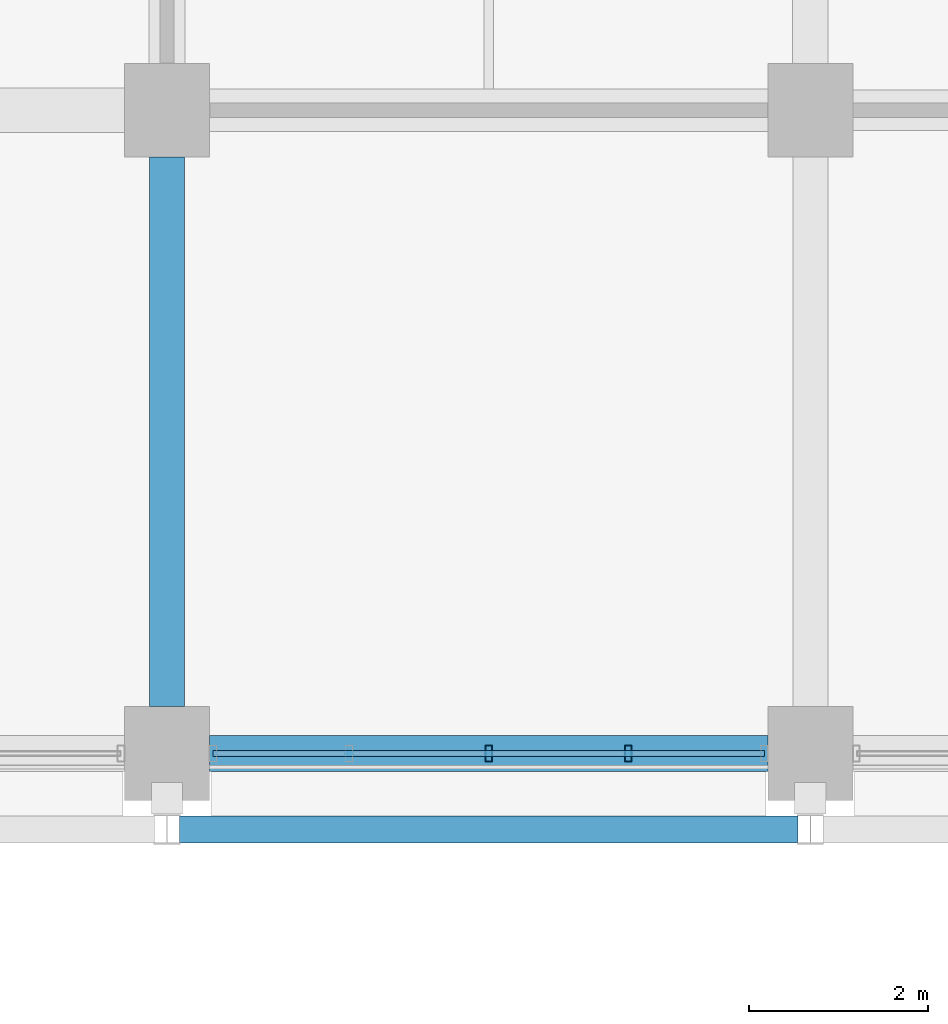
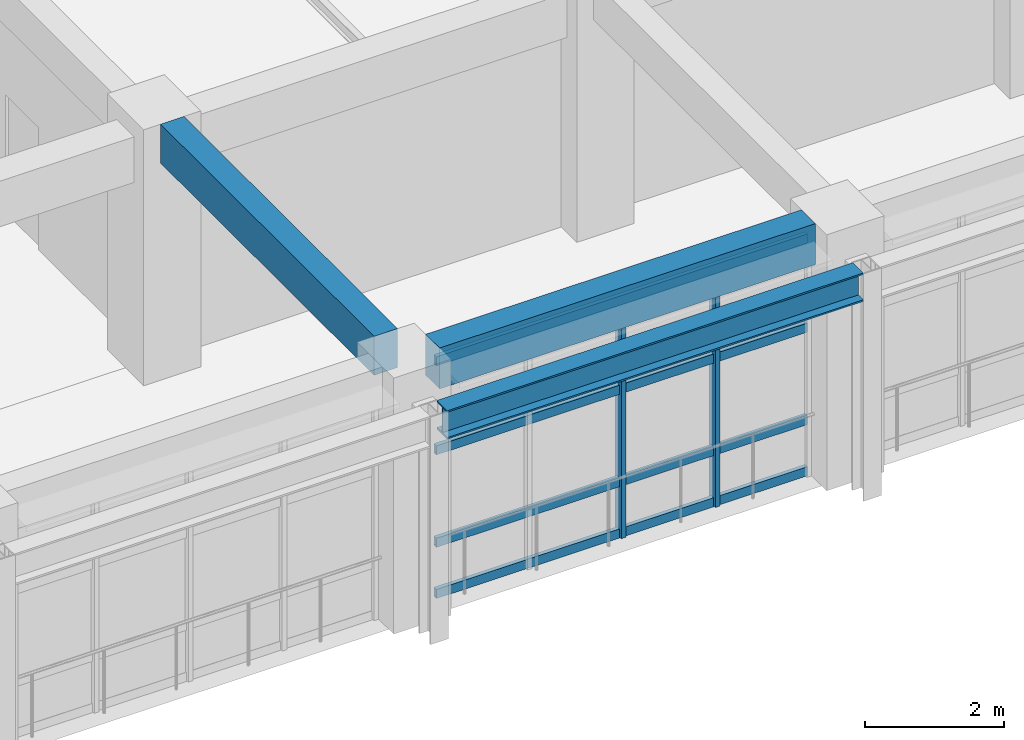
# One storey, part 96 of 171: 6 members, 3 beams, 1 element without a shape of its own.
"""IFC4 building model written with IfcOpenShell, lengths in metres."""

from ifc_helpers import new_model, si_unit, direction, frame, origin, origin_2d, place, context, subcontext, project, spatial, rectangle, hollow_rectangle, i_section, extrude, material, material_profile, profile_set, type_object, element, aggregate, save


model = new_model("IFC4")

# Units and contexts
model_context = context("Model", 3, precision=1e-05, world=origin(), true_north=direction((0.0, 1.0)))
body_context = subcontext(model_context, "Body", "Model", "MODEL_VIEW")
ifc_project = project(units=[si_unit("LENGTHUNIT", "METRE"), si_unit("AREAUNIT", "SQUARE_METRE"), si_unit("VOLUMEUNIT", "CUBIC_METRE"), si_unit("PLANEANGLEUNIT", "RADIAN"), si_unit("MASSUNIT", "GRAM", prefix="KILO")], contexts=[model_context])

# Site, building, storey
site_placement = place(None, origin())
site = spatial("IfcSite", under=ifc_project, at=site_placement, CompositionType="ELEMENT")
building_placement = place(site_placement, origin())
building = spatial("IfcBuilding", under=site, at=building_placement, Name="Thalmaran Polytechnic", CompositionType="ELEMENT")
storey_placement = place(building_placement, frame((0.0, 0.0, 5.39990234375)))
storey = spatial("IfcBuildingStorey", under=building, at=storey_placement, Name="L01", CompositionType="ELEMENT", Elevation=5.39990234375)

# Beams
ifc_material_1 = material(Name="Steel S355", Category="steel")
ifc_material_profile_1 = material_profile(ifc_material_1, i_section(OverallWidth=0.300048828125, OverallDepth=0.5, WebThickness=0.014404296875, FlangeThickness=0.028076171875, at=origin_2d()), Name="HEB 500")
ifc_profile_set_1 = profile_set([ifc_material_profile_1], Name="Steel S355")
beam_type_1 = type_object("IfcBeamType", Name="BM-CRN2", PredefinedType="BEAM", material=ifc_profile_set_1)
beam_1_placement = place(storey_placement, frame((136.93994140625, 49.550048828125, 3.75), z_axis=(1.0, 0.0, 0.0), x_axis=(0.0, 1.0, 0.0)))
element("IfcBeam", 1, at=beam_1_placement, inside=storey, type_object=beam_type_1, Name="Workshop Crane Runway Beam Y7-19", PredefinedType="BEAM", context=body_context, shape_type="SweptSolid", body=[
    extrude(i_section(OverallWidth=0.300048828125, OverallDepth=0.5, WebThickness=0.014404296875, FlangeThickness=0.028076171875, at=origin_2d()), origin(), (0.0, 0.0, 1.0), 6.920166015625),
])
ifc_material_2 = material(Name="Concrete C40/50", Category="concrete")
ifc_material_profile_2 = material_profile(ifc_material_2, rectangle(XDim=0.389892578125, YDim=0.68505859375, at=origin_2d()), Name="RC 390x685")
ifc_profile_set_2 = profile_set([ifc_material_profile_2], Name="Concrete C40/50")
beam_type_2 = type_object("IfcBeamType", Name="BM-RC08", PredefinedType="BEAM", material=ifc_profile_set_2)
beam_2_placement = place(storey_placement, frame((136.800048828125, 50.925048828125, 4.15771484375), z_axis=(0.0, 1.0, 0.0), x_axis=(-1.0, 0.0, 0.0)))
element("IfcBeam", 2, at=beam_2_placement, inside=storey, type_object=beam_type_2, Name="Grid Beam B08 L01 Y(19,7)", PredefinedType="BEAM", context=body_context, shape_type="SweptSolid", body=[
    extrude(rectangle(XDim=0.389892578125, YDim=0.68505859375, at=origin_2d()), origin(), (0.0, 0.0, 1.0), 6.14990234375),
])
ifc_material_profile_3 = material_profile(ifc_material_2, rectangle(XDim=0.39990234375, YDim=0.719970703125, at=origin_2d()), Name="RC 400x720")
ifc_profile_set_3 = profile_set([ifc_material_profile_3], Name="Concrete C40/50")
beam_type_3 = type_object("IfcBeamType", Name="BM-SP01", PredefinedType="SPANDREL", material=ifc_profile_set_3)
beam_3_placement = place(storey_placement, frame((137.27490234375, 50.39990234375, 4.14013671875), z_axis=(1.0, 0.0, 0.0), x_axis=(0.0, 1.0, 0.0)))
element("IfcBeam", 3, at=beam_3_placement, inside=storey, type_object=beam_type_3, Name="Grid Beam SP01 L01 X(19,7)", PredefinedType="SPANDREL", context=body_context, shape_type="SweptSolid", body=[
    extrude(rectangle(XDim=0.39990234375, YDim=0.719970703125, at=origin_2d()), origin(), (0.0, 0.0, 1.0), 6.25),
])

# Curtain wall, members
ifc_material_3 = material(Name="Aluminium 6063-T6", Category="aluminium")
curtain_wall_type = type_object("IfcCurtainWallType", Name="CW-UC02", PredefinedType="USERDEFINED", material=ifc_material_3)
curtain_wall_placement = place(storey_placement, origin())
curtain_wall = element("IfcCurtainWall", 4, at=curtain_wall_placement, inside=storey, type_object=curtain_wall_type, Name="Curtain Wall CW-L01-127", ObjectType="UNITISED CURTAIN WALL", PredefinedType="USERDEFINED")
ifc_material_profile_4 = material_profile(ifc_material_3, hollow_rectangle(XDim=0.080078125, YDim=0.179931640625, WallThickness=0.0048828125, at=origin_2d()), Name="RHS 180x80x5.0")
ifc_profile_set_4 = profile_set([ifc_material_profile_4], Name="Aluminium 6063-T6")
member_type_1 = type_object("IfcMemberType", Name="CW-MUL1", PredefinedType="MULLION", material=ifc_profile_set_4)
member_1_placement = place(storey_placement, frame((141.96240234375, 50.39990234375, 0.0), z_axis=(0.0, 0.0, 1.0), x_axis=(1.0, 0.0, 0.0)))
member_1 = element("IfcMember", 5, at=member_1_placement, type_object=member_type_1, Name="CW-L01-127 Mullion 2", PredefinedType="MULLION", context=body_context, shape_type="SweptSolid", body=[
    extrude(hollow_rectangle(XDim=0.080078125, YDim=0.179931640625, WallThickness=0.0048828125, at=origin_2d()), origin(), (0.0, 0.0, 1.0), 4.210205078125),
])
member_2_placement = place(storey_placement, frame((140.39990234375, 50.39990234375, 0.0), z_axis=(0.0, 0.0, 1.0), x_axis=(1.0, 0.0, 0.0)))
member_2 = element("IfcMember", 6, at=member_2_placement, type_object=member_type_1, Name="CW-L01-127 Mullion 3", PredefinedType="MULLION", context=body_context, shape_type="SweptSolid", body=[
    extrude(hollow_rectangle(XDim=0.080078125, YDim=0.179931640625, WallThickness=0.0048828125, at=origin_2d()), origin(), (0.0, 0.0, 1.0), 4.210205078125),
])
ifc_material_profile_5 = material_profile(ifc_material_3, hollow_rectangle(XDim=0.070068359375, YDim=0.159912109375, WallThickness=0.00390625, at=origin_2d()), Name="AL 160x70x4.0")
ifc_profile_set_5 = profile_set([ifc_material_profile_5], Name="Aluminium 6063-T6")
member_type_2 = type_object("IfcMemberType", Name="CW-TRN1", PredefinedType="USERDEFINED", material=ifc_profile_set_5)
member_3_placement = place(storey_placement, frame((143.485107421875, 50.39990234375, 0.06005859375), z_axis=(-1.0, 0.0, 0.0), x_axis=(0.0, -1.0, 0.0)))
member_3 = element("IfcMember", 7, at=member_3_placement, type_object=member_type_2, Name="CW-L01-127 Transom 1", ObjectType="TRANSOM", PredefinedType="USERDEFINED", context=body_context, shape_type="SweptSolid", body=[
    extrude(hollow_rectangle(XDim=0.070068359375, YDim=0.159912109375, WallThickness=0.00390625, at=origin_2d()), origin(), (0.0, 0.0, 1.0), 6.170166015625),
])
member_4_placement = place(storey_placement, frame((143.485107421875, 50.39990234375, 0.960205078125), z_axis=(-1.0, 0.0, 0.0), x_axis=(0.0, -1.0, 0.0)))
member_4 = element("IfcMember", 8, at=member_4_placement, type_object=member_type_2, Name="CW-L01-127 Transom 2", ObjectType="TRANSOM", PredefinedType="USERDEFINED", context=body_context, shape_type="SweptSolid", body=[
    extrude(hollow_rectangle(XDim=0.070068359375, YDim=0.159912109375, WallThickness=0.00390625, at=origin_2d()), origin(), (0.0, 0.0, 1.0), 6.170166015625),
])
member_5_placement = place(storey_placement, frame((143.485107421875, 50.39990234375, 2.585205078125), z_axis=(-1.0, 0.0, 0.0), x_axis=(0.0, -1.0, 0.0)))
member_5 = element("IfcMember", 9, at=member_5_placement, type_object=member_type_2, Name="CW-L01-127 Transom 3", ObjectType="TRANSOM", PredefinedType="USERDEFINED", context=body_context, shape_type="SweptSolid", body=[
    extrude(hollow_rectangle(XDim=0.070068359375, YDim=0.159912109375, WallThickness=0.00390625, at=origin_2d()), origin(), (0.0, 0.0, 1.0), 6.170166015625),
])
member_6_placement = place(storey_placement, frame((143.485107421875, 50.39990234375, 4.150146484375), z_axis=(-1.0, 0.0, 0.0), x_axis=(0.0, -1.0, 0.0)))
member_6 = element("IfcMember", 10, at=member_6_placement, type_object=member_type_2, Name="CW-L01-127 Transom 4", ObjectType="TRANSOM", PredefinedType="USERDEFINED", context=body_context, shape_type="SweptSolid", body=[
    extrude(hollow_rectangle(XDim=0.070068359375, YDim=0.159912109375, WallThickness=0.00390625, at=origin_2d()), origin(), (0.0, 0.0, 1.0), 6.170166015625),
])
aggregate(curtain_wall, [member_1, member_2, member_3, member_4, member_5, member_6])

save(model, "model.ifc")
